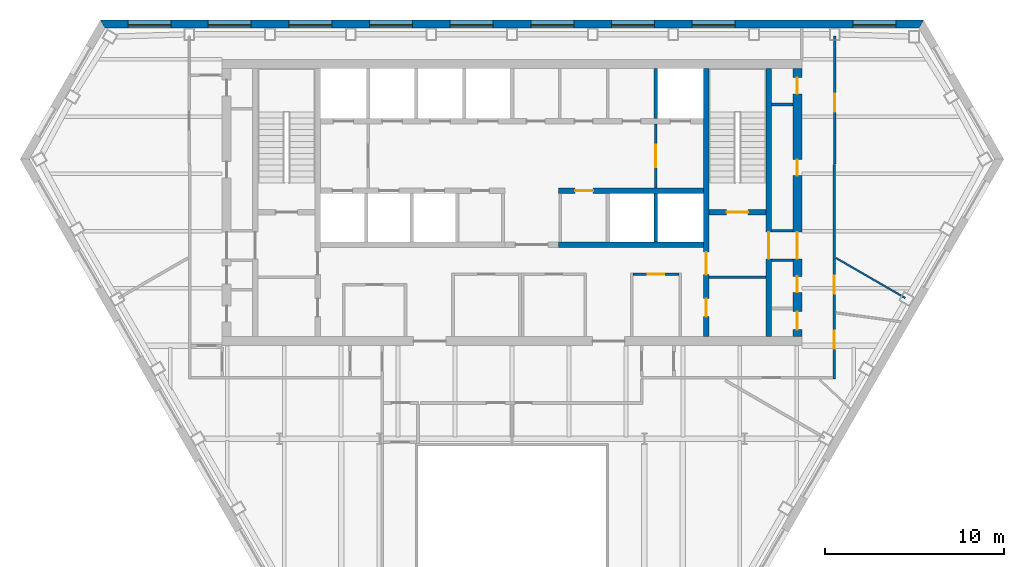
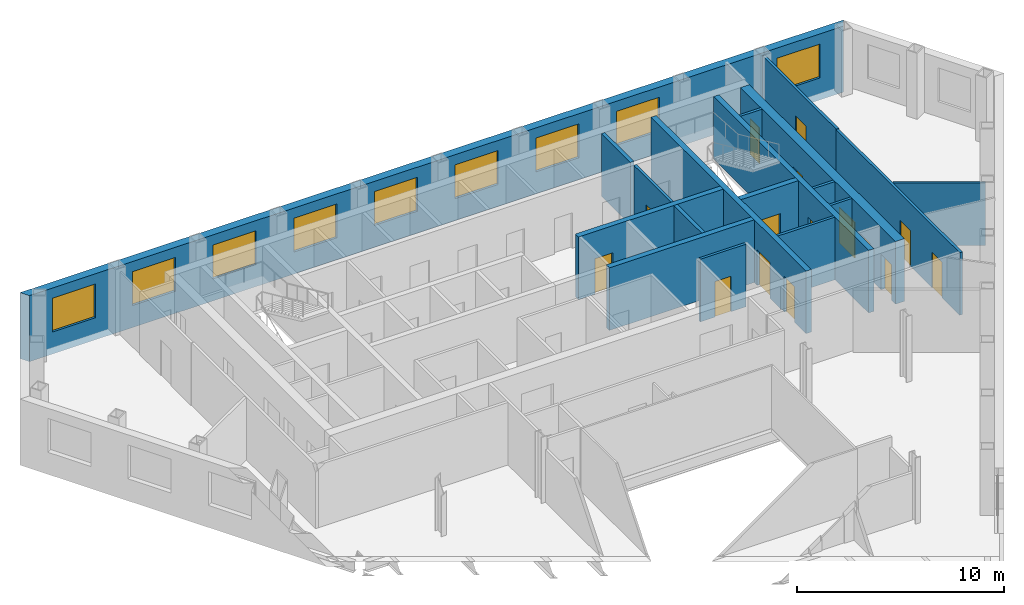
# One storey, part 7 of 11: 18 walls, 15 doors, 9 windows, 24 openings.
"""IFC4 building model written with IfcOpenShell, lengths in metres."""

from ifc_helpers import new_model, si_unit, direction, frame, frame_2d, origin, place, context, subcontext, project, spatial, polyline, rectangle, outline, extrude, material, layer, layer_set, type_object, element, fill, save


model = new_model("IFC4")

# Units and contexts
model_context = context("Model", 3, precision=1e-05, world=origin(), true_north=direction((0.0, 1.0)))
body_context = subcontext(model_context, "Body", "Model", "MODEL_VIEW")
ifc_project = project(units=[si_unit("LENGTHUNIT", "METRE"), si_unit("AREAUNIT", "SQUARE_METRE"), si_unit("VOLUMEUNIT", "CUBIC_METRE"), si_unit("PLANEANGLEUNIT", "RADIAN"), si_unit("MASSUNIT", "GRAM", prefix="KILO")], contexts=[model_context])

# Site, building, storey
site_placement = place(None, origin())
site = spatial("IfcSite", under=ifc_project, at=site_placement, CompositionType="ELEMENT")
building_placement = place(site_placement, origin())
building = spatial("IfcBuilding", under=site, at=building_placement, Name="Njiva Tower", CompositionType="ELEMENT")
storey_placement = place(building_placement, frame((0.0, 0.0, 143.7)))
storey = spatial("IfcBuildingStorey", under=building, at=storey_placement, Name="L30", CompositionType="ELEMENT", Elevation=143.7)

# Wall
ifc_material_1 = material(Name="Blockwork", Category="masonry")
ifc_layer_1 = layer(ifc_material_1, 0.15)
ifc_layer_set_1 = layer_set([ifc_layer_1], Name="Blockwork")
wall_type_1 = type_object("IfcWallType", Name="WT1 Compartment partition 150", PredefinedType="PARTITIONING", material=ifc_layer_set_1)
wall_1_placement = place(storey_placement, frame((11.0, 5.825, 0.0), z_axis=(0.0, 0.0, 1.0), x_axis=(1.0, 0.0, 0.0)))
element("IfcWall", 1, at=wall_1_placement, inside=storey, type_object=wall_type_1, Name="Room wall B", PredefinedType="PARTITIONING", context=body_context, shape_type="SweptSolid", body=[
    extrude(rectangle(XDim=3.2, YDim=0.15, at=frame_2d((1.6, 0.0))), origin(), (0.0, 0.0, 1.0), 3.7),
])

# Wall, opening, door
wall_2_placement = place(storey_placement, frame((6.775, 6.0, 0.0), z_axis=(0.0, 0.0, 1.0), x_axis=(1.0, 0.0, 0.0)))
wall_2 = element("IfcWall", 2, at=wall_2_placement, inside=storey, type_object=wall_type_1, Name="Information office wall north", PredefinedType="PARTITIONING", context=body_context, shape_type="SweptSolid", body=[
    extrude(rectangle(XDim=2.55, YDim=0.15, at=frame_2d((1.275, 0.0))), origin(), (0.0, 0.0, 1.0), 3.7),
])
opening_1_placement = place(wall_2_placement, frame((0.825, 0.0, 0.0)))
opening_1 = element("IfcOpeningElement", 3, at=opening_1_placement, cuts=wall_2, Name="Opening S10-D937", PredefinedType="OPENING", context=body_context, shape_type="SweptSolid", body=[
    extrude(rectangle(XDim=0.9, YDim=2.1, at=frame_2d((0.45, 1.05))), frame((0.0, 0.085, 0.0), z_axis=(0.0, -1.0, 0.0), x_axis=(1.0, 0.0, 0.0)), (0.0, 0.0, 1.0), 0.17),
])
ifc_material_2 = material(Name="Steel fire door, painted", Category="steel")
door_type_1 = type_object("IfcDoorType", Name="D6 Fire-rated door 900x2100", OperationType="SINGLE_SWING_LEFT", PredefinedType="DOOR", material=ifc_material_2)
door_1_placement = place(opening_1_placement, origin())
door_1 = element("IfcDoor", 4, at=door_1_placement, inside=storey, type_object=door_type_1, Name="Information office door", OperationType="SINGLE_SWING_RIGHT", OverallHeight=2.1, OverallWidth=0.9, PredefinedType="DOOR", context=body_context, shape_type="SweptSolid", body=[
    extrude(rectangle(XDim=0.9, YDim=2.1, at=frame_2d((0.45, 1.05))), frame((0.0, 0.025, 0.0), z_axis=(0.0, -1.0, 0.0), x_axis=(1.0, 0.0, 0.0)), (0.0, 0.0, 1.0), 0.05),
])
fill(opening_1, door_1)

# Wall, openings, doors
ifc_material_3 = material(Name="Concrete C40/50", Category="concrete")
ifc_layer_2 = layer(ifc_material_3, 0.3)
ifc_layer_set_2 = layer_set([ifc_layer_2], Name="Concrete C40/50")
wall_type_2 = type_object("IfcWallType", Name="WT10 Stair enclosure wall 300", PredefinedType="SHEAR", material=ifc_layer_set_2)
wall_3_placement = place(storey_placement, frame((10.85, 2.5, 0.0), z_axis=(0.0, 0.0, 1.0), x_axis=(0.0, 1.0, 0.0)))
wall_3 = element("IfcWall", 5, at=wall_3_placement, inside=storey, type_object=wall_type_2, Name="Stair wall east inner", PredefinedType="SHEAR", context=body_context, shape_type="SweptSolid", body=[
    extrude(rectangle(XDim=15.0, YDim=0.3, at=frame_2d((7.5, 0.0))), origin(), (0.0, 0.0, 1.0), 3.7),
])
opening_2_placement = place(wall_3_placement, frame((3.475, 0.0, 0.0)))
opening_2 = element("IfcOpeningElement", 6, at=opening_2_placement, cuts=wall_3, Name="Opening S10-D920", PredefinedType="OPENING", context=body_context, shape_type="SweptSolid", body=[
    extrude(rectangle(XDim=1.25, YDim=2.1, at=frame_2d((0.625, 1.05))), frame((0.0, 0.16, 0.0), z_axis=(0.0, -1.0, 0.0), x_axis=(1.0, 0.0, 0.0)), (0.0, 0.0, 1.0), 0.32),
])
opening_3_placement = place(wall_3_placement, frame((1.125, 0.0, 0.0)))
opening_3 = element("IfcOpeningElement", 7, at=opening_3_placement, cuts=wall_3, Name="Opening S10-D921", PredefinedType="OPENING", context=body_context, shape_type="SweptSolid", body=[
    extrude(rectangle(XDim=1.0, YDim=2.1, at=frame_2d((0.5, 1.05))), frame((0.0, 0.16, 0.0), z_axis=(0.0, -1.0, 0.0), x_axis=(1.0, 0.0, 0.0)), (0.0, 0.0, 1.0), 0.32),
])
ifc_material_4 = material(Name="Steel door, painted", Category="steel")
door_type_2 = type_object("IfcDoorType", Name="D5 Steel door 1000x2100", OperationType="SINGLE_SWING_LEFT", PredefinedType="DOOR", material=ifc_material_4)
door_2_placement = place(opening_3_placement, origin())
door_2 = element("IfcDoor", 8, at=door_2_placement, inside=storey, type_object=door_type_2, Name="Meeting room door", OperationType="SINGLE_SWING_LEFT", OverallHeight=2.1, OverallWidth=1.0, PredefinedType="DOOR", context=body_context, shape_type="SweptSolid", body=[
    extrude(rectangle(XDim=1.0, YDim=2.1, at=frame_2d((0.5, 1.05))), frame((0.0, 0.025, 0.0), z_axis=(0.0, -1.0, 0.0), x_axis=(1.0, 0.0, 0.0)), (0.0, 0.0, 1.0), 0.05),
])
fill(opening_3, door_2)
ifc_material_5 = material(Name="Glazed steel fire door", Category="steel")
door_type_3 = type_object("IfcDoorType", Name="D8 Vestibule corridor door 1250x2100 glazed", OperationType="SINGLE_SWING_LEFT", PredefinedType="DOOR", material=ifc_material_5)
door_3_placement = place(opening_2_placement, origin())
door_3 = element("IfcDoor", 9, at=door_3_placement, inside=storey, type_object=door_type_3, Name="Stair vestibule corridor door", OperationType="SINGLE_SWING_RIGHT", OverallHeight=2.1, OverallWidth=1.25, PredefinedType="DOOR", context=body_context, shape_type="SweptSolid", body=[
    extrude(rectangle(XDim=1.25, YDim=2.1, at=frame_2d((0.625, 1.05))), frame((0.0, 0.025, 0.0), z_axis=(0.0, -1.0, 0.0), x_axis=(1.0, 0.0, 0.0)), (0.0, 0.0, 1.0), 0.05),
])
fill(opening_2, door_3)

# Wall, opening, door
wall_4_placement = place(storey_placement, frame((14.35, 2.5, 0.0), z_axis=(0.0, 0.0, 1.0), x_axis=(0.0, 1.0, 0.0)))
wall_4 = element("IfcWall", 10, at=wall_4_placement, inside=storey, type_object=wall_type_2, Name="Stair wall east outer", PredefinedType="SHEAR", context=body_context, shape_type="SweptSolid", body=[
    extrude(rectangle(XDim=15.0, YDim=0.3, at=frame_2d((7.5, 0.0))), origin(), (0.0, 0.0, 1.0), 3.7),
])
opening_4_placement = place(wall_4_placement, frame((4.35, 0.0, 0.0)))
opening_4 = element("IfcOpeningElement", 11, at=opening_4_placement, cuts=wall_4, Name="Opening S10-D928", PredefinedType="OPENING", context=body_context, shape_type="SweptSolid", body=[
    extrude(rectangle(XDim=1.5, YDim=2.1, at=frame_2d((0.75, 1.05))), frame((0.0, 0.16, 0.0), z_axis=(0.0, -1.0, 0.0), x_axis=(1.0, 0.0, 0.0)), (0.0, 0.0, 1.0), 0.32),
])
door_type_4 = type_object("IfcDoorType", Name="D10 Exit door double 1500x2100 glazed", OperationType="DOUBLE_DOOR_SINGLE_SWING", PredefinedType="DOOR", material=ifc_material_5)
door_4_placement = place(opening_4_placement, origin())
door_4 = element("IfcDoor", 12, at=door_4_placement, inside=storey, type_object=door_type_4, Name="Stair B passage door", OperationType="DOUBLE_DOOR_SINGLE_SWING", OverallHeight=2.1, OverallWidth=1.5, PredefinedType="DOOR", context=body_context, shape_type="SweptSolid", body=[
    extrude(rectangle(XDim=1.5, YDim=2.1, at=frame_2d((0.75, 1.05))), frame((0.0, 0.025, 0.0), z_axis=(0.0, -1.0, 0.0), x_axis=(1.0, 0.0, 0.0)), (0.0, 0.0, 1.0), 0.05),
])
fill(opening_4, door_4)

wall_5_placement = place(storey_placement, frame((11.0, 9.45, 0.0), z_axis=(0.0, 0.0, 1.0), x_axis=(1.0, 0.0, 0.0)))
wall_5 = element("IfcWall", 13, at=wall_5_placement, inside=storey, type_object=wall_type_2, Name="Stair B south wall", PredefinedType="SHEAR", context=body_context, shape_type="SweptSolid", body=[
    extrude(rectangle(XDim=3.2, YDim=0.3, at=frame_2d((1.6, 0.0))), origin(), (0.0, 0.0, 1.0), 3.7),
])
opening_5_placement = place(wall_5_placement, frame((1.0, 0.0, 0.0)))
opening_5 = element("IfcOpeningElement", 14, at=opening_5_placement, cuts=wall_5, Name="Opening S10-D919", PredefinedType="OPENING", context=body_context, shape_type="SweptSolid", body=[
    extrude(rectangle(XDim=1.2, YDim=2.1, at=frame_2d((0.6, 1.05))), frame((0.0, 0.16, 0.0), z_axis=(0.0, -1.0, 0.0), x_axis=(1.0, 0.0, 0.0)), (0.0, 0.0, 1.0), 0.32),
])
door_type_5 = type_object("IfcDoorType", Name="D7 Stair vestibule door 1200x2100 glazed", OperationType="SINGLE_SWING_LEFT", PredefinedType="DOOR", material=ifc_material_5)
door_5_placement = place(opening_5_placement, origin())
door_5 = element("IfcDoor", 15, at=door_5_placement, inside=storey, type_object=door_type_5, Name="Stair B door", OperationType="SINGLE_SWING_LEFT", OverallHeight=2.1, OverallWidth=1.2, PredefinedType="DOOR", context=body_context, shape_type="SweptSolid", body=[
    extrude(rectangle(XDim=1.2, YDim=2.1, at=frame_2d((0.6, 1.05))), frame((0.0, 0.025, 0.0), z_axis=(0.0, -1.0, 0.0), x_axis=(1.0, 0.0, 0.0)), (0.0, 0.0, 1.0), 0.05),
])
fill(opening_5, door_5)

# Wall, openings, doors
ifc_material_6 = material(Name="Concrete C60/75", Category="concrete")
ifc_layer_3 = layer(ifc_material_6, 0.5)
ifc_layer_set_3 = layer_set([ifc_layer_3], Name="Concrete C60/75")
wall_type_3 = type_object("IfcWallType", Name="WT13 Core wall 500", PredefinedType="SHEAR", material=ifc_layer_set_3)
wall_6_placement = place(storey_placement, frame((15.95, 2.5, 0.0), z_axis=(0.0, 0.0, 1.0), x_axis=(0.0, 1.0, 0.0)))
wall_6 = element("IfcWall", 16, at=wall_6_placement, inside=storey, type_object=wall_type_3, Name="Core wall east", PredefinedType="SHEAR", context=body_context, shape_type="SweptSolid", body=[
    extrude(rectangle(XDim=15.0, YDim=0.5, at=frame_2d((7.5, 0.0))), origin(), (0.0, 0.0, 1.0), 3.7),
])
opening_6_placement = place(wall_6_placement, frame((4.35, 0.0, 0.0)))
opening_6 = element("IfcOpeningElement", 17, at=opening_6_placement, cuts=wall_6, Name="Opening S10-D929", PredefinedType="OPENING", context=body_context, shape_type="SweptSolid", body=[
    extrude(rectangle(XDim=1.5, YDim=2.1, at=frame_2d((0.75, 1.05))), frame((0.0, 0.26, 0.0), z_axis=(0.0, -1.0, 0.0), x_axis=(1.0, 0.0, 0.0)), (0.0, 0.0, 1.0), 0.52),
])
opening_7_placement = place(wall_6_placement, frame((0.4, 0.0, 0.0)))
opening_7 = element("IfcOpeningElement", 18, at=opening_7_placement, cuts=wall_6, Name="Opening S10-D930", PredefinedType="OPENING", context=body_context, shape_type="SweptSolid", body=[
    extrude(rectangle(XDim=1.0, YDim=2.1, at=frame_2d((0.5, 1.05))), frame((0.0, 0.26, 0.0), z_axis=(0.0, -1.0, 0.0), x_axis=(1.0, 0.0, 0.0)), (0.0, 0.0, 1.0), 0.52),
])
opening_8_placement = place(wall_6_placement, frame((2.475, 0.0, 0.0)))
opening_8 = element("IfcOpeningElement", 19, at=opening_8_placement, cuts=wall_6, Name="Opening S10-D931", PredefinedType="OPENING", context=body_context, shape_type="SweptSolid", body=[
    extrude(rectangle(XDim=0.9, YDim=2.1, at=frame_2d((0.45, 1.05))), frame((0.0, 0.26, 0.0), z_axis=(0.0, -1.0, 0.0), x_axis=(1.0, 0.0, 0.0)), (0.0, 0.0, 1.0), 0.52),
])
opening_9_placement = place(wall_6_placement, frame((9.0012, 0.0, 0.0)))
opening_9 = element("IfcOpeningElement", 20, at=opening_9_placement, cuts=wall_6, Name="Opening S10-D932", PredefinedType="OPENING", context=body_context, shape_type="SweptSolid", body=[
    extrude(rectangle(XDim=0.9, YDim=2.1, at=frame_2d((0.45, 1.05))), frame((0.0, 0.26, 0.0), z_axis=(0.0, -1.0, 0.0), x_axis=(1.0, 0.0, 0.0)), (0.0, 0.0, 1.0), 0.52),
])
opening_10_placement = place(wall_6_placement, frame((13.5762, 0.0, 0.0)))
opening_10 = element("IfcOpeningElement", 21, at=opening_10_placement, cuts=wall_6, Name="Opening S10-D933", PredefinedType="OPENING", context=body_context, shape_type="SweptSolid", body=[
    extrude(rectangle(XDim=0.9, YDim=2.1, at=frame_2d((0.45, 1.05))), frame((0.0, 0.26, 0.0), z_axis=(0.0, -1.0, 0.0), x_axis=(1.0, 0.0, 0.0)), (0.0, 0.0, 1.0), 0.52),
])
door_6_placement = place(opening_6_placement, origin())
door_6 = element("IfcDoor", 22, at=door_6_placement, inside=storey, type_object=door_type_4, Name="Stair B corridor door", OperationType="DOUBLE_DOOR_SINGLE_SWING", OverallHeight=2.1, OverallWidth=1.5, PredefinedType="DOOR", context=body_context, shape_type="SweptSolid", body=[
    extrude(rectangle(XDim=1.5, YDim=2.1, at=frame_2d((0.75, 1.05))), frame((0.0, 0.025, 0.0), z_axis=(0.0, -1.0, 0.0), x_axis=(1.0, 0.0, 0.0)), (0.0, 0.0, 1.0), 0.05),
])
fill(opening_6, door_6)
door_type_6 = type_object("IfcDoorType", Name="D4 Riser door 900x2100", OperationType="SINGLE_SWING_LEFT", PredefinedType="DOOR", material=ifc_material_4)
door_7_placement = place(opening_10_placement, origin())
door_7 = element("IfcDoor", 23, at=door_7_placement, inside=storey, type_object=door_type_6, Name="Cable riser door", OperationType="SINGLE_SWING_RIGHT", OverallHeight=2.1, OverallWidth=0.9, PredefinedType="DOOR", context=body_context, shape_type="SweptSolid", body=[
    extrude(rectangle(XDim=0.9, YDim=2.1, at=frame_2d((0.45, 1.05))), frame((0.0, 0.025, 0.0), z_axis=(0.0, -1.0, 0.0), x_axis=(1.0, 0.0, 0.0)), (0.0, 0.0, 1.0), 0.05),
])
fill(opening_10, door_7)
door_8_placement = place(opening_7_placement, origin())
door_8 = element("IfcDoor", 24, at=door_8_placement, inside=storey, type_object=door_type_2, Name="Telecoms room door", OperationType="SINGLE_SWING_LEFT", OverallHeight=2.1, OverallWidth=1.0, PredefinedType="DOOR", context=body_context, shape_type="SweptSolid", body=[
    extrude(rectangle(XDim=1.0, YDim=2.1, at=frame_2d((0.5, 1.05))), frame((0.0, 0.025, 0.0), z_axis=(0.0, -1.0, 0.0), x_axis=(1.0, 0.0, 0.0)), (0.0, 0.0, 1.0), 0.05),
])
fill(opening_7, door_8)
door_9_placement = place(opening_8_placement, origin())
door_9 = element("IfcDoor", 25, at=door_9_placement, inside=storey, type_object=door_type_1, Name="Cable store door", OperationType="SINGLE_SWING_LEFT", OverallHeight=2.1, OverallWidth=0.9, PredefinedType="DOOR", context=body_context, shape_type="SweptSolid", body=[
    extrude(rectangle(XDim=0.9, YDim=2.1, at=frame_2d((0.45, 1.05))), frame((0.0, 0.025, 0.0), z_axis=(0.0, -1.0, 0.0), x_axis=(1.0, 0.0, 0.0)), (0.0, 0.0, 1.0), 0.05),
])
fill(opening_8, door_9)
door_10_placement = place(opening_9_placement, origin())
door_10 = element("IfcDoor", 26, at=door_10_placement, inside=storey, type_object=door_type_1, Name="Cable store door", OperationType="SINGLE_SWING_RIGHT", OverallHeight=2.1, OverallWidth=0.9, PredefinedType="DOOR", context=body_context, shape_type="SweptSolid", body=[
    extrude(rectangle(XDim=0.9, YDim=2.1, at=frame_2d((0.45, 1.05))), frame((0.0, 0.025, 0.0), z_axis=(0.0, -1.0, 0.0), x_axis=(1.0, 0.0, 0.0)), (0.0, 0.0, 1.0), 0.05),
])
fill(opening_9, door_10)

# Wall, opening, door
ifc_layer_4 = layer(ifc_material_1, 0.15)
ifc_layer_set_4 = layer_set([ifc_layer_4], Name="Blockwork")
wall_type_4 = type_object("IfcWallType", Name="WT2 Lobby partition 150", PredefinedType="PARTITIONING", material=ifc_layer_set_4)
wall_7_placement = place(storey_placement, frame((8.025, 10.8, 0.0), z_axis=(0.0, 0.0, 1.0), x_axis=(0.0, 1.0, 0.0)))
wall_7 = element("IfcWall", 27, at=wall_7_placement, inside=storey, type_object=wall_type_4, Name="Firefighting lobby wall B", PredefinedType="PARTITIONING", context=body_context, shape_type="SweptSolid", body=[
    extrude(rectangle(XDim=3.6, YDim=0.15, at=frame_2d((1.8, 0.0))), origin(), (0.0, 0.0, 1.0), 3.7),
])
opening_11_placement = place(wall_7_placement, frame((1.175, 0.0, 0.0)))
opening_11 = element("IfcOpeningElement", 28, at=opening_11_placement, cuts=wall_7, Name="Opening S10-D918", PredefinedType="OPENING", context=body_context, shape_type="SweptSolid", body=[
    extrude(rectangle(XDim=1.25, YDim=2.1, at=frame_2d((0.625, 1.05))), frame((0.0, 0.085, 0.0), z_axis=(0.0, -1.0, 0.0), x_axis=(1.0, 0.0, 0.0)), (0.0, 0.0, 1.0), 0.17),
])
door_11_placement = place(opening_11_placement, origin())
door_11 = element("IfcDoor", 29, at=door_11_placement, inside=storey, type_object=door_type_3, Name="Stair vestibule corridor door", OperationType="SINGLE_SWING_LEFT", OverallHeight=2.1, OverallWidth=1.25, PredefinedType="DOOR", context=body_context, shape_type="SweptSolid", body=[
    extrude(rectangle(XDim=1.25, YDim=2.1, at=frame_2d((0.625, 1.05))), frame((0.0, 0.025, 0.0), z_axis=(0.0, -1.0, 0.0), x_axis=(1.0, 0.0, 0.0)), (0.0, 0.0, 1.0), 0.05),
])
fill(opening_11, door_11)

# Wall
ifc_material_7 = material(Name="Gypsum board on steel studs", Category="gypsum")
ifc_layer_5 = layer(ifc_material_7, 0.1)
ifc_layer_set_5 = layer_set([ifc_layer_5], Name="Gypsum board on steel studs")
wall_type_5 = type_object("IfcWallType", Name="WT20 Gypsum partition 100", PredefinedType="PARTITIONING", material=ifc_layer_set_5)
wall_8_placement = place(storey_placement, frame((18.101, 6.902, 0.0), z_axis=(0.0, 0.0, 1.0), x_axis=(0.865951106384, -0.500128664797, 0.0)))
element("IfcWall", 30, at=wall_8_placement, inside=storey, type_object=wall_type_5, Name="Partition S10-P031", PredefinedType="PARTITIONING", context=body_context, shape_type="SweptSolid", body=[
    extrude(rectangle(XDim=4.4748, YDim=0.1, at=frame_2d((2.2374, 0.0))), origin(), (0.0, 0.0, 1.0), 3.7),
])

# Wall, openings, doors
ifc_layer_6 = layer(ifc_material_7, 0.15)
ifc_layer_set_6 = layer_set([ifc_layer_6], Name="Gypsum board on steel studs")
wall_type_6 = type_object("IfcWallType", Name="WT21 Compartment wall 150", PredefinedType="PARTITIONING", material=ifc_layer_set_6)
wall_9_placement = place(storey_placement, frame((18.0, 0.125, 0.0), z_axis=(0.0, 0.0, 1.0), x_axis=(0.000166638891, 0.999999986116, 0.0)))
wall_9 = element("IfcWall", 31, at=wall_9_placement, inside=storey, type_object=wall_type_6, Name="Partition S10-P028", PredefinedType="PARTITIONING", context=body_context, shape_type="SweptSolid", body=[
    extrude(rectangle(XDim=12.002, YDim=0.15, at=frame_2d((6.001, 0.0))), origin(), (0.0, 0.0, 1.0), 3.7),
])
opening_12_placement = place(wall_9_placement, frame((1.707, 0.0, 0.0)))
opening_12 = element("IfcOpeningElement", 32, at=opening_12_placement, cuts=wall_9, Name="Opening S10-D015", PredefinedType="OPENING", context=body_context, shape_type="SweptSolid", body=[
    extrude(rectangle(XDim=1.0, YDim=2.1, at=frame_2d((0.5, 1.05))), frame((0.0, 0.085, 0.0), z_axis=(0.0, -1.0, 0.0), x_axis=(1.0, 0.0, 0.0)), (0.0, 0.0, 1.0), 0.17),
])
opening_13_placement = place(wall_9_placement, frame((4.78, 0.0, 0.0)))
opening_13 = element("IfcOpeningElement", 33, at=opening_13_placement, cuts=wall_9, Name="Opening S10-D016", PredefinedType="OPENING", context=body_context, shape_type="SweptSolid", body=[
    extrude(rectangle(XDim=1.0, YDim=2.1, at=frame_2d((0.5, 1.05))), frame((0.0, 0.085, 0.0), z_axis=(0.0, -1.0, 0.0), x_axis=(1.0, 0.0, 0.0)), (0.0, 0.0, 1.0), 0.17),
])
ifc_material_8 = material(Name="Steel fire door set", Category="steel")
door_type_7 = type_object("IfcDoorType", Name="D37 Fire door 1000x2100", OperationType="SINGLE_SWING_LEFT", PredefinedType="DOOR", material=ifc_material_8)
door_12_placement = place(opening_12_placement, origin())
door_12 = element("IfcDoor", 34, at=door_12_placement, inside=storey, type_object=door_type_7, Name="Door S10-D015", OperationType="SINGLE_SWING_LEFT", OverallHeight=2.1, OverallWidth=1.0, PredefinedType="DOOR", context=body_context, shape_type="SweptSolid", body=[
    extrude(rectangle(XDim=1.0, YDim=2.1, at=frame_2d((0.5, 1.05))), frame((0.0, 0.025, 0.0), z_axis=(0.0, -1.0, 0.0), x_axis=(1.0, 0.0, 0.0)), (0.0, 0.0, 1.0), 0.05),
])
fill(opening_12, door_12)
door_13_placement = place(opening_13_placement, origin())
door_13 = element("IfcDoor", 35, at=door_13_placement, inside=storey, type_object=door_type_7, Name="Door S10-D016", OperationType="SINGLE_SWING_LEFT", OverallHeight=2.1, OverallWidth=1.0, PredefinedType="DOOR", context=body_context, shape_type="SweptSolid", body=[
    extrude(rectangle(XDim=1.0, YDim=2.1, at=frame_2d((0.5, 1.05))), frame((0.0, 0.025, 0.0), z_axis=(0.0, -1.0, 0.0), x_axis=(1.0, 0.0, 0.0)), (0.0, 0.0, 1.0), 0.05),
])
fill(opening_13, door_13)

# Wall, opening, door
wall_10_placement = place(storey_placement, frame((18.034, 12.146, 0.0), z_axis=(0.0, 0.0, 1.0), x_axis=(0.0, 1.0, 0.0)))
wall_10 = element("IfcWall", 36, at=wall_10_placement, inside=storey, type_object=wall_type_6, Name="Partition S10-P029", PredefinedType="PARTITIONING", context=body_context, shape_type="SweptSolid", body=[
    extrude(rectangle(XDim=7.154, YDim=0.15, at=frame_2d((3.577, 0.0))), origin(), (0.0, 0.0, 1.0), 3.7),
])
opening_14_placement = place(wall_10_placement, frame((2.926, 0.0, 0.0)))
opening_14 = element("IfcOpeningElement", 37, at=opening_14_placement, cuts=wall_10, Name="Opening S10-D017", PredefinedType="OPENING", context=body_context, shape_type="SweptSolid", body=[
    extrude(rectangle(XDim=1.0, YDim=2.1, at=frame_2d((0.5, 1.05))), frame((0.0, 0.085, 0.0), z_axis=(0.0, -1.0, 0.0), x_axis=(1.0, 0.0, 0.0)), (0.0, 0.0, 1.0), 0.17),
])
door_14_placement = place(opening_14_placement, origin())
door_14 = element("IfcDoor", 38, at=door_14_placement, inside=storey, type_object=door_type_7, Name="Door S10-D017", OperationType="SINGLE_SWING_LEFT", OverallHeight=2.1, OverallWidth=1.0, PredefinedType="DOOR", context=body_context, shape_type="SweptSolid", body=[
    extrude(rectangle(XDim=1.0, YDim=2.1, at=frame_2d((0.5, 1.05))), frame((0.0, 0.025, 0.0), z_axis=(0.0, -1.0, 0.0), x_axis=(1.0, 0.0, 0.0)), (0.0, 0.0, 1.0), 0.05),
])
fill(opening_14, door_14)

# Walls
ifc_layer_7 = layer(ifc_material_1, 0.15)
ifc_layer_set_7 = layer_set([ifc_layer_7], Name="Blockwork")
wall_type_7 = type_object("IfcWallType", Name="WT3 Riser partition 150", PredefinedType="PARTITIONING", material=ifc_layer_set_7)
wall_11_placement = place(storey_placement, frame((14.5, 15.4773, 0.0), z_axis=(0.0, 0.0, 1.0), x_axis=(1.0, 0.0, 0.0)))
element("IfcWall", 39, at=wall_11_placement, inside=storey, type_object=wall_type_7, Name="Partition strip E10", PredefinedType="PARTITIONING", context=body_context, shape_type="SweptSolid", body=[
    extrude(rectangle(XDim=1.2, YDim=0.15, at=frame_2d((0.6, 0.0))), origin(), (0.0, 0.0, 1.0), 3.7),
])
ifc_layer_8 = layer(ifc_material_1, 0.15)
ifc_layer_set_8 = layer_set([ifc_layer_8], Name="Blockwork")
wall_type_8 = type_object("IfcWallType", Name="WT4 Stair partition 150", PredefinedType="PARTITIONING", material=ifc_layer_set_8)
for number, where, z_axis, x_axis, name in (
    (40, (14.5, 6.775, 0.0), (0.0, 0.0, 1.0), (1.0, 0.0, 0.0), "Stair B exit passage wall south"),
    (41, (14.5, 8.425, 0.0), (0.0, 0.0, 1.0), (1.0, 0.0, 0.0), "Stair B exit passage wall north"),
):
    element("IfcWall", number, at=place(storey_placement, frame(where, z_axis=z_axis, x_axis=x_axis)), inside=storey, type_object=wall_type_8, Name=name, PredefinedType="PARTITIONING", context=body_context, shape_type="SweptSolid", body=[
        extrude(rectangle(XDim=1.2, YDim=0.15, at=frame_2d((0.6, 0.0))), origin(), (0.0, 0.0, 1.0), 3.7),
    ])
ifc_layer_9 = layer(ifc_material_3, 0.2)
ifc_layer_set_9 = layer_set([ifc_layer_9], Name="Concrete C40/50")
wall_type_9 = type_object("IfcWallType", Name="WT6 Lift shaft wall 200", PredefinedType="SHEAR", material=ifc_layer_set_9)
wall_12_placement = place(storey_placement, frame((8.025, 14.7, 0.0), z_axis=(0.0, 0.0, 1.0), x_axis=(0.0, 1.0, 0.0)))
element("IfcWall", 42, at=wall_12_placement, inside=storey, type_object=wall_type_9, Name="Shaft wall CN7", PredefinedType="SHEAR", context=body_context, shape_type="SweptSolid", body=[
    extrude(rectangle(XDim=2.8, YDim=0.2, at=frame_2d((1.4, 0.0))), origin(), (0.0, 0.0, 1.0), 3.7),
])
wall_13_placement = place(storey_placement, frame((8.0333, 7.8, 0.0), z_axis=(0.0, 0.0, 1.0), x_axis=(0.0, 1.0, 0.0)))
element("IfcWall", 43, at=wall_13_placement, inside=storey, type_object=wall_type_9, Name="Shaft wall CS7", PredefinedType="SHEAR", context=body_context, shape_type="SweptSolid", body=[
    extrude(rectangle(XDim=2.7, YDim=0.2, at=frame_2d((1.35, 0.0))), origin(), (0.0, 0.0, 1.0), 3.7),
])

# Wall, opening, door
ifc_layer_10 = layer(ifc_material_3, 0.3)
ifc_layer_set_10 = layer_set([ifc_layer_10], Name="Concrete C40/50")
wall_type_10 = type_object("IfcWallType", Name="WT7 Lift shaft wall 300", PredefinedType="SHEAR", material=ifc_layer_set_10)
wall_14_placement = place(storey_placement, frame((2.6, 10.65, 0.0), z_axis=(0.0, 0.0, 1.0), x_axis=(1.0, 0.0, 0.0)))
wall_14 = element("IfcWall", 44, at=wall_14_placement, inside=storey, type_object=wall_type_10, Name="Shaft wall south row lobby side E", PredefinedType="SHEAR", context=body_context, shape_type="SweptSolid", body=[
    extrude(rectangle(XDim=8.1, YDim=0.3, at=frame_2d((4.05, 0.0))), origin(), (0.0, 0.0, 1.0), 3.7),
])
opening_15_placement = place(wall_14_placement, frame((0.9334, 0.0, 0.0)))
opening_15 = element("IfcOpeningElement", 45, at=opening_15_placement, cuts=wall_14, Name="Opening S10-D913", PredefinedType="OPENING", context=body_context, shape_type="SweptSolid", body=[
    extrude(rectangle(XDim=1.0, YDim=2.1, at=frame_2d((0.5, 1.05))), frame((0.0, 0.16, 0.0), z_axis=(0.0, -1.0, 0.0), x_axis=(1.0, 0.0, 0.0)), (0.0, 0.0, 1.0), 0.32),
])
door_15_placement = place(opening_15_placement, origin())
door_15 = element("IfcDoor", 46, at=door_15_placement, inside=storey, type_object=door_type_2, Name="Reading room door", OperationType="SINGLE_SWING_LEFT", OverallHeight=2.1, OverallWidth=1.0, PredefinedType="DOOR", context=body_context, shape_type="SweptSolid", body=[
    extrude(rectangle(XDim=1.0, YDim=2.1, at=frame_2d((0.5, 1.05))), frame((0.0, 0.025, 0.0), z_axis=(0.0, -1.0, 0.0), x_axis=(1.0, 0.0, 0.0)), (0.0, 0.0, 1.0), 0.05),
])
fill(opening_15, door_15)

# Wall
wall_15_placement = place(storey_placement, frame((2.6, 7.65, 0.0), z_axis=(0.0, 0.0, 1.0), x_axis=(1.0, 0.0, 0.0)))
element("IfcWall", 47, at=wall_15_placement, inside=storey, type_object=wall_type_10, Name="Shaft wall south row back E", PredefinedType="SHEAR", context=body_context, shape_type="SweptSolid", body=[
    extrude(rectangle(XDim=8.1, YDim=0.3, at=frame_2d((4.05, 0.0))), origin(), (0.0, 0.0, 1.0), 3.7),
])

# Wall, openings, windows
ifc_material_9 = material(Name="Brick masonry", Category="masonry")
ifc_layer_11 = layer(ifc_material_9, 0.45)
ifc_layer_set_11 = layer_set([ifc_layer_11], Name="Brick masonry")
wall_type_11 = type_object("IfcWallType", Name="WT90 Brick pier and spandrel wall 450", PredefinedType="SOLIDWALL", material=ifc_layer_set_11)
wall_16_placement = place(storey_placement, frame((22.8751, 19.975, -0.4), z_axis=(0.0, 0.0, 1.0), x_axis=(-1.0, 0.0, 0.0)))
wall_16 = element("IfcWall", 48, at=wall_16_placement, inside=storey, type_object=wall_type_11, Name="Facade wall N", PredefinedType="SOLIDWALL", context=body_context, shape_type="SweptSolid", body=[
    extrude(outline(polyline([(-0.1299, -0.225), (45.8801, -0.225), (45.6203, 0.225), (0.1299, 0.225), (-0.1299, -0.225)])), origin(), (0.0, 0.0, 1.0), 3.9),
])
opening_16_placement = place(wall_16_placement, frame((1.4247, 0.0, 1.3)))
opening_16 = element("IfcOpeningElement", 49, at=opening_16_placement, cuts=wall_16, Name="Opening S10-W01", PredefinedType="OPENING", context=body_context, shape_type="SweptSolid", body=[
    extrude(rectangle(XDim=2.4, YDim=2.0, at=frame_2d((1.2, 1.0))), frame((0.0, 0.235, 0.0), z_axis=(0.0, -1.0, 0.0), x_axis=(1.0, 0.0, 0.0)), (0.0, 0.0, 1.0), 0.47),
])
opening_17_placement = place(wall_16_placement, frame((10.4035, 0.0, 1.3)))
opening_17 = element("IfcOpeningElement", 50, at=opening_17_placement, cuts=wall_16, Name="Opening S10-W02", PredefinedType="OPENING", context=body_context, shape_type="SweptSolid", body=[
    extrude(rectangle(XDim=2.4, YDim=2.0, at=frame_2d((1.2, 1.0))), frame((0.0, 0.235, 0.0), z_axis=(0.0, -1.0, 0.0), x_axis=(1.0, 0.0, 0.0)), (0.0, 0.0, 1.0), 0.47),
])
opening_18_placement = place(wall_16_placement, frame((14.9122, 0.0, 1.3)))
opening_18 = element("IfcOpeningElement", 51, at=opening_18_placement, cuts=wall_16, Name="Opening S10-W03", PredefinedType="OPENING", context=body_context, shape_type="SweptSolid", body=[
    extrude(rectangle(XDim=2.4, YDim=2.0, at=frame_2d((1.2, 1.0))), frame((0.0, 0.235, 0.0), z_axis=(0.0, -1.0, 0.0), x_axis=(1.0, 0.0, 0.0)), (0.0, 0.0, 1.0), 0.47),
])
opening_19_placement = place(wall_16_placement, frame((19.4208, 0.0, 1.3)))
opening_19 = element("IfcOpeningElement", 52, at=opening_19_placement, cuts=wall_16, Name="Opening S10-W04", PredefinedType="OPENING", context=body_context, shape_type="SweptSolid", body=[
    extrude(rectangle(XDim=2.4, YDim=2.0, at=frame_2d((1.2, 1.0))), frame((0.0, 0.235, 0.0), z_axis=(0.0, -1.0, 0.0), x_axis=(1.0, 0.0, 0.0)), (0.0, 0.0, 1.0), 0.47),
])
opening_20_placement = place(wall_16_placement, frame((23.9294, 0.0, 1.3)))
opening_20 = element("IfcOpeningElement", 53, at=opening_20_placement, cuts=wall_16, Name="Opening S10-W05", PredefinedType="OPENING", context=body_context, shape_type="SweptSolid", body=[
    extrude(rectangle(XDim=2.4, YDim=2.0, at=frame_2d((1.2, 1.0))), frame((0.0, 0.235, 0.0), z_axis=(0.0, -1.0, 0.0), x_axis=(1.0, 0.0, 0.0)), (0.0, 0.0, 1.0), 0.47),
])
opening_21_placement = place(wall_16_placement, frame((28.438, 0.0, 1.3)))
opening_21 = element("IfcOpeningElement", 54, at=opening_21_placement, cuts=wall_16, Name="Opening S10-W06", PredefinedType="OPENING", context=body_context, shape_type="SweptSolid", body=[
    extrude(rectangle(XDim=2.4, YDim=2.0, at=frame_2d((1.2, 1.0))), frame((0.0, 0.235, 0.0), z_axis=(0.0, -1.0, 0.0), x_axis=(1.0, 0.0, 0.0)), (0.0, 0.0, 1.0), 0.47),
])
opening_22_placement = place(wall_16_placement, frame((32.9466, 0.0, 1.3)))
opening_22 = element("IfcOpeningElement", 55, at=opening_22_placement, cuts=wall_16, Name="Opening S10-W07", PredefinedType="OPENING", context=body_context, shape_type="SweptSolid", body=[
    extrude(rectangle(XDim=2.4, YDim=2.0, at=frame_2d((1.2, 1.0))), frame((0.0, 0.235, 0.0), z_axis=(0.0, -1.0, 0.0), x_axis=(1.0, 0.0, 0.0)), (0.0, 0.0, 1.0), 0.47),
])
opening_23_placement = place(wall_16_placement, frame((37.4553, 0.0, 1.3)))
opening_23 = element("IfcOpeningElement", 56, at=opening_23_placement, cuts=wall_16, Name="Opening S10-W08", PredefinedType="OPENING", context=body_context, shape_type="SweptSolid", body=[
    extrude(rectangle(XDim=2.4, YDim=2.0, at=frame_2d((1.2, 1.0))), frame((0.0, 0.235, 0.0), z_axis=(0.0, -1.0, 0.0), x_axis=(1.0, 0.0, 0.0)), (0.0, 0.0, 1.0), 0.47),
])
opening_24_placement = place(wall_16_placement, frame((41.9255, 0.0, 1.3)))
opening_24 = element("IfcOpeningElement", 57, at=opening_24_placement, cuts=wall_16, Name="Opening S10-W09", PredefinedType="OPENING", context=body_context, shape_type="SweptSolid", body=[
    extrude(rectangle(XDim=2.4, YDim=2.0, at=frame_2d((1.2, 1.0))), frame((0.0, 0.235, 0.0), z_axis=(0.0, -1.0, 0.0), x_axis=(1.0, 0.0, 0.0)), (0.0, 0.0, 1.0), 0.47),
])
ifc_material_10 = material(Name="Clear glazing in aluminium frame", Category="aluminium")
window_type = type_object("IfcWindowType", Name="W90 Deep-set window 2400x2000", PartitioningType="SINGLE_PANEL", PredefinedType="WINDOW", material=ifc_material_10)
window_1_placement = place(opening_16_placement, origin())
window_1 = element("IfcWindow", 58, at=window_1_placement, inside=storey, type_object=window_type, Name="Window", OverallHeight=2.0, OverallWidth=2.4, PartitioningType="SINGLE_PANEL", PredefinedType="WINDOW", context=body_context, shape_type="SweptSolid", body=[
    extrude(rectangle(XDim=2.4, YDim=2.0, at=frame_2d((1.2, 1.0))), frame((0.0, 0.105, 0.0), z_axis=(0.0, -1.0, 0.0), x_axis=(1.0, 0.0, 0.0)), (0.0, 0.0, 1.0), 0.06),
])
fill(opening_16, window_1)
window_2_placement = place(opening_17_placement, origin())
window_2 = element("IfcWindow", 59, at=window_2_placement, inside=storey, type_object=window_type, Name="Window", OverallHeight=2.0, OverallWidth=2.4, PartitioningType="SINGLE_PANEL", PredefinedType="WINDOW", context=body_context, shape_type="SweptSolid", body=[
    extrude(rectangle(XDim=2.4, YDim=2.0, at=frame_2d((1.2, 1.0))), frame((0.0, 0.105, 0.0), z_axis=(0.0, -1.0, 0.0), x_axis=(1.0, 0.0, 0.0)), (0.0, 0.0, 1.0), 0.06),
])
fill(opening_17, window_2)
window_3_placement = place(opening_18_placement, origin())
window_3 = element("IfcWindow", 60, at=window_3_placement, inside=storey, type_object=window_type, Name="Window", OverallHeight=2.0, OverallWidth=2.4, PartitioningType="SINGLE_PANEL", PredefinedType="WINDOW", context=body_context, shape_type="SweptSolid", body=[
    extrude(rectangle(XDim=2.4, YDim=2.0, at=frame_2d((1.2, 1.0))), frame((0.0, 0.105, 0.0), z_axis=(0.0, -1.0, 0.0), x_axis=(1.0, 0.0, 0.0)), (0.0, 0.0, 1.0), 0.06),
])
fill(opening_18, window_3)
window_4_placement = place(opening_19_placement, origin())
window_4 = element("IfcWindow", 61, at=window_4_placement, inside=storey, type_object=window_type, Name="Window", OverallHeight=2.0, OverallWidth=2.4, PartitioningType="SINGLE_PANEL", PredefinedType="WINDOW", context=body_context, shape_type="SweptSolid", body=[
    extrude(rectangle(XDim=2.4, YDim=2.0, at=frame_2d((1.2, 1.0))), frame((0.0, 0.105, 0.0), z_axis=(0.0, -1.0, 0.0), x_axis=(1.0, 0.0, 0.0)), (0.0, 0.0, 1.0), 0.06),
])
fill(opening_19, window_4)
window_5_placement = place(opening_20_placement, origin())
window_5 = element("IfcWindow", 62, at=window_5_placement, inside=storey, type_object=window_type, Name="Window", OverallHeight=2.0, OverallWidth=2.4, PartitioningType="SINGLE_PANEL", PredefinedType="WINDOW", context=body_context, shape_type="SweptSolid", body=[
    extrude(rectangle(XDim=2.4, YDim=2.0, at=frame_2d((1.2, 1.0))), frame((0.0, 0.105, 0.0), z_axis=(0.0, -1.0, 0.0), x_axis=(1.0, 0.0, 0.0)), (0.0, 0.0, 1.0), 0.06),
])
fill(opening_20, window_5)
window_6_placement = place(opening_21_placement, origin())
window_6 = element("IfcWindow", 63, at=window_6_placement, inside=storey, type_object=window_type, Name="Window", OverallHeight=2.0, OverallWidth=2.4, PartitioningType="SINGLE_PANEL", PredefinedType="WINDOW", context=body_context, shape_type="SweptSolid", body=[
    extrude(rectangle(XDim=2.4, YDim=2.0, at=frame_2d((1.2, 1.0))), frame((0.0, 0.105, 0.0), z_axis=(0.0, -1.0, 0.0), x_axis=(1.0, 0.0, 0.0)), (0.0, 0.0, 1.0), 0.06),
])
fill(opening_21, window_6)
window_7_placement = place(opening_22_placement, origin())
window_7 = element("IfcWindow", 64, at=window_7_placement, inside=storey, type_object=window_type, Name="Window", OverallHeight=2.0, OverallWidth=2.4, PartitioningType="SINGLE_PANEL", PredefinedType="WINDOW", context=body_context, shape_type="SweptSolid", body=[
    extrude(rectangle(XDim=2.4, YDim=2.0, at=frame_2d((1.2, 1.0))), frame((0.0, 0.105, 0.0), z_axis=(0.0, -1.0, 0.0), x_axis=(1.0, 0.0, 0.0)), (0.0, 0.0, 1.0), 0.06),
])
fill(opening_22, window_7)
window_8_placement = place(opening_23_placement, origin())
window_8 = element("IfcWindow", 65, at=window_8_placement, inside=storey, type_object=window_type, Name="Window", OverallHeight=2.0, OverallWidth=2.4, PartitioningType="SINGLE_PANEL", PredefinedType="WINDOW", context=body_context, shape_type="SweptSolid", body=[
    extrude(rectangle(XDim=2.4, YDim=2.0, at=frame_2d((1.2, 1.0))), frame((0.0, 0.105, 0.0), z_axis=(0.0, -1.0, 0.0), x_axis=(1.0, 0.0, 0.0)), (0.0, 0.0, 1.0), 0.06),
])
fill(opening_23, window_8)
window_9_placement = place(opening_24_placement, origin())
window_9 = element("IfcWindow", 66, at=window_9_placement, inside=storey, type_object=window_type, Name="Window", OverallHeight=2.0, OverallWidth=2.4, PartitioningType="SINGLE_PANEL", PredefinedType="WINDOW", context=body_context, shape_type="SweptSolid", body=[
    extrude(rectangle(XDim=2.4, YDim=2.0, at=frame_2d((1.2, 1.0))), frame((0.0, 0.105, 0.0), z_axis=(0.0, -1.0, 0.0), x_axis=(1.0, 0.0, 0.0)), (0.0, 0.0, 1.0), 0.06),
])
fill(opening_24, window_9)

save(model, "model.ifc")
